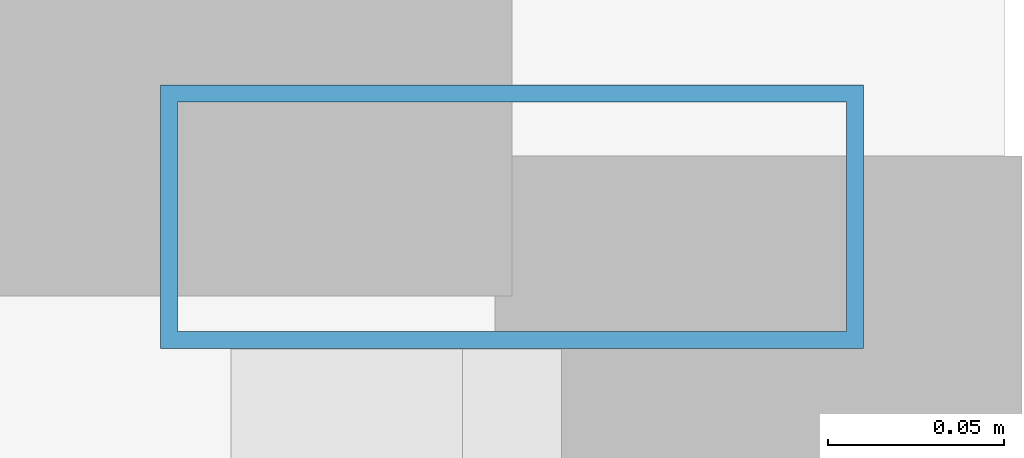
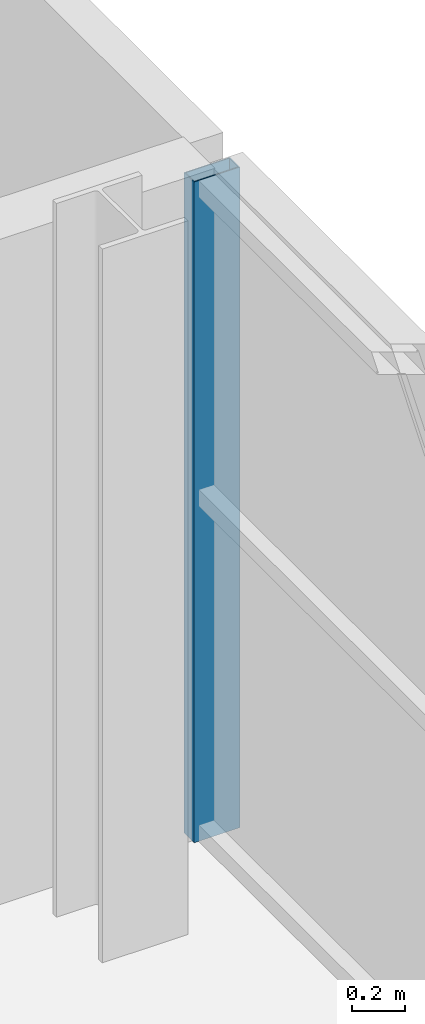
# One storey, part 14 of 24: 1 member, 1 element without a shape of its own.
"""IFC4 building model written with IfcOpenShell, lengths in metres."""

from ifc_helpers import new_model, si_unit, direction, frame, origin, origin_2d, place, context, subcontext, project, spatial, hollow_rectangle, extrude, source, transform, mapped, material, layer, layer_set, material_profile, profile_set, type_object, element, aggregate, save


model = new_model("IFC4")

# Units and contexts
model_context = context("Model", 3, precision=1e-05, world=origin(), true_north=direction((0.0, 1.0)))
body_context = subcontext(model_context, "Body", "Model", "MODEL_VIEW")
ifc_project = project(units=[si_unit("LENGTHUNIT", "METRE"), si_unit("AREAUNIT", "SQUARE_METRE"), si_unit("VOLUMEUNIT", "CUBIC_METRE"), si_unit("PLANEANGLEUNIT", "RADIAN"), si_unit("MASSUNIT", "GRAM", prefix="KILO")], contexts=[model_context])

# Site, building, storey
site_placement = place(None, origin())
site = spatial("IfcSite", under=ifc_project, at=site_placement, CompositionType="ELEMENT")
building_placement = place(site_placement, origin())
building = spatial("IfcBuilding", under=site, at=building_placement, Name="Zarnakvel Exchange Tower", CompositionType="ELEMENT")
storey_placement = place(building_placement, frame((0.0, 0.0, 208.89990234375)))
storey = spatial("IfcBuildingStorey", under=building, at=storey_placement, Name="L58", CompositionType="ELEMENT", Elevation=208.89990234375)

# Curtain wall, member
ifc_material = material(Name="Architectural Bronze Anodised Aluminium", Category="aluminium")
ifc_layer = layer(ifc_material, 0.199951171875)
ifc_layer_set = layer_set([ifc_layer], Name="Architectural Bronze Anodised Aluminium")
curtain_wall_type = type_object("IfcCurtainWallType", Name="CW-04", PredefinedType="NOTDEFINED", material=ifc_layer_set)
curtain_wall_placement = place(storey_placement, origin())
curtain_wall = element("IfcCurtainWall", 1, at=curtain_wall_placement, inside=storey, type_object=curtain_wall_type, Name="L58 Curtain Wall CW-L58-E1 (CW-04)", PredefinedType="NOTDEFINED")
ifc_material_profile = material_profile(ifc_material, hollow_rectangle(XDim=0.199951171875, YDim=0.074951171875, WallThickness=0.0048828125, at=origin_2d()))
ifc_profile_set = profile_set([ifc_material_profile], Name="Architectural Bronze Anodised Aluminium")
member_type = type_object("IfcMemberType", Name="CWM-04", PredefinedType="MULLION", material=ifc_profile_set)
shared_shape = source(origin(), body_context, "Body", "SweptSolid", [
    extrude(hollow_rectangle(XDim=0.199951171875, YDim=0.074951171875, WallThickness=0.0048828125, at=origin_2d()), origin(), (0.0, 0.0, 1.0), 3.05517578125),
])
member_placement = place(storey_placement, frame((19.4599609375, 13.862548828125, 0.0), z_axis=(0.0, 0.0, 1.0), x_axis=(-1.0, 0.0, 0.0)))
member = element("IfcMember", 2, at=member_placement, type_object=member_type, Name="CW-04 mullion 5", PredefinedType="MULLION", context=body_context, shape_type="MappedRepresentation", body=[
    mapped(shared_shape, transform((0.0, 0.0, 0.0), x_axis=(1.0, 0.0, 0.0), y_axis=(0.0, 1.0, 0.0), z_axis=(0.0, 0.0, 1.0), scale=1.0)),
])
aggregate(curtain_wall, [member])

save(model, "model.ifc")
